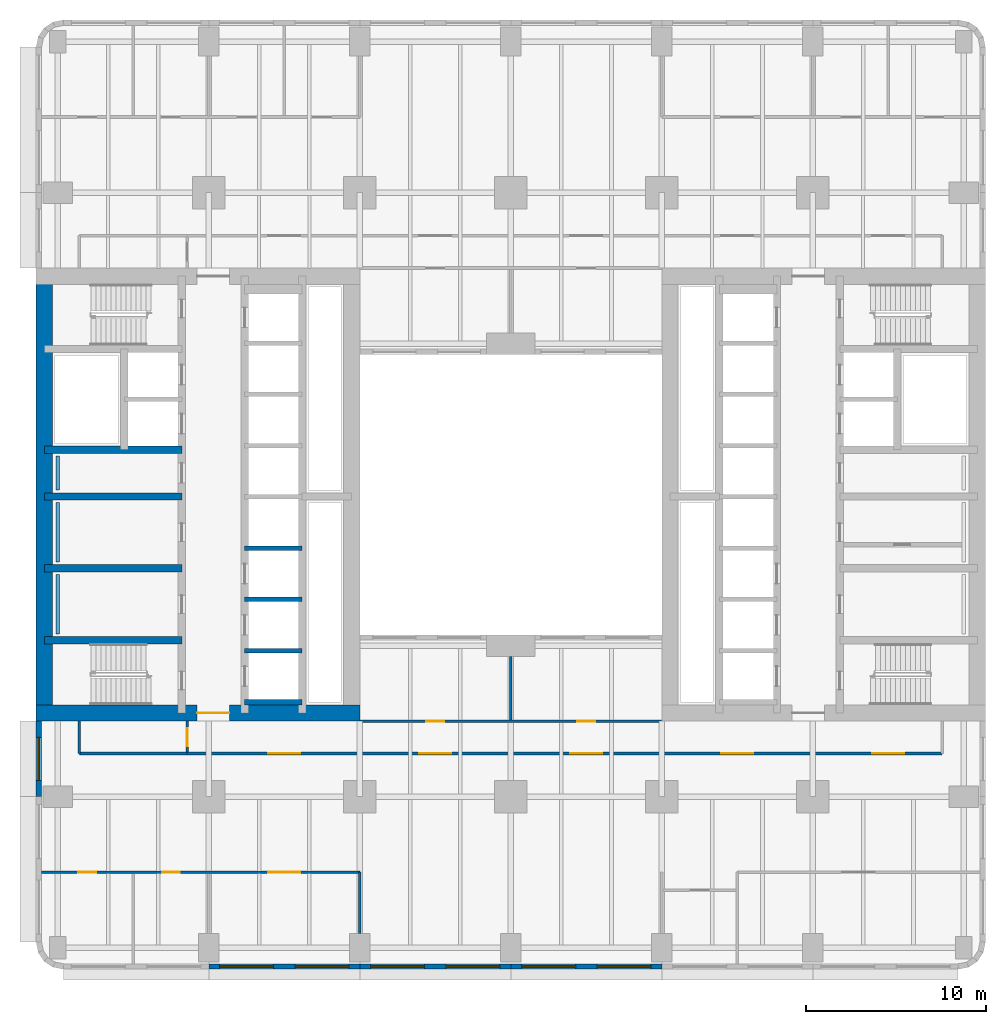
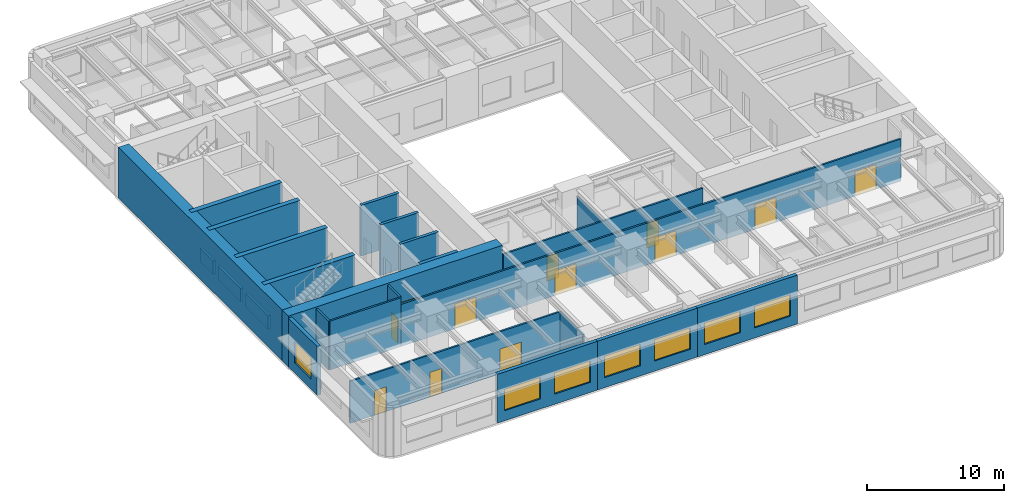
# One storey, part 3 of 14: 25 walls, 12 doors, 7 windows, 19 openings.
"""IFC4 building model written with IfcOpenShell, lengths in metres."""

from ifc_helpers import new_model, si_unit, direction, frame, frame_2d, origin, place, context, subcontext, project, spatial, rectangle, extrude, material, layer, layer_set, type_object, element, fill, save


model = new_model("IFC4")

# Units and contexts
model_context = context("Model", 3, precision=1e-05, world=origin(), true_north=direction((0.0, 1.0)))
body_context = subcontext(model_context, "Body", "Model", "MODEL_VIEW")
ifc_project = project(units=[si_unit("LENGTHUNIT", "METRE"), si_unit("AREAUNIT", "SQUARE_METRE"), si_unit("VOLUMEUNIT", "CUBIC_METRE"), si_unit("PLANEANGLEUNIT", "RADIAN"), si_unit("MASSUNIT", "GRAM", prefix="KILO")], contexts=[model_context])

# Site, building, storey
site_placement = place(None, origin())
site = spatial("IfcSite", under=ifc_project, at=site_placement, CompositionType="ELEMENT")
building_placement = place(site_placement, origin())
building = spatial("IfcBuilding", under=site, at=building_placement, Name="Claustro Exchange Tower", CompositionType="ELEMENT")
storey_placement = place(building_placement, frame((0.0, 0.0, 27.89990234375)))
storey = spatial("IfcBuildingStorey", under=building, at=storey_placement, Name="L06", CompositionType="ELEMENT", Elevation=27.89990234375)

# Wall, openings, doors
ifc_material_1 = material(Name="Gypsum board on steel studs", Category="steel")
ifc_layer_1 = layer(ifc_material_1, 0.14990234375)
ifc_layer_set_1 = layer_set([ifc_layer_1], Name="Gypsum board on steel studs")
wall_type_1 = type_object("IfcWallType", Name="P1 150 plasterboard partition", PredefinedType="PARTITIONING", material=ifc_layer_set_1)
wall_1_placement = place(storey_placement, frame((-0.902099609375, 4.199951171875, 0.0), z_axis=(0.0, 0.0, 1.0), x_axis=(1.0, 0.0, 0.0)))
wall_1 = element("IfcWall", 1, at=wall_1_placement, inside=storey, type_object=wall_type_1, Name="Partition P1 L06", PredefinedType="PARTITIONING", context=body_context, shape_type="SweptSolid", body=[
    extrude(rectangle(XDim=17.7021484375, YDim=0.14990234375, at=frame_2d((8.85107421875, 0.0))), origin(), (0.0, 0.0, 1.0), 3.739990234375),
])
opening_1_placement = place(wall_1_placement, frame((2.052001953125, 0.0, 0.0)))
opening_1 = element("IfcOpeningElement", 2, at=opening_1_placement, cuts=wall_1, Name="Opening D1", PredefinedType="OPENING", context=body_context, shape_type="SweptSolid", body=[
    extrude(rectangle(XDim=1.0, YDim=2.199951171875, at=frame_2d((0.5, 1.10009765625))), frame((0.0, 0.0849609375, 0.0), z_axis=(0.0, -1.0, 0.0), x_axis=(1.0, 0.0, 0.0)), (0.0, 0.0, 1.0), 0.169921875),
])
opening_2_placement = place(wall_1_placement, frame((6.701904296875, 0.0, 0.0)))
opening_2 = element("IfcOpeningElement", 3, at=opening_2_placement, cuts=wall_1, Name="Opening D1", PredefinedType="OPENING", context=body_context, shape_type="SweptSolid", body=[
    extrude(rectangle(XDim=1.0, YDim=2.199951171875, at=frame_2d((0.5, 1.10009765625))), frame((0.0, 0.0849609375, 0.0), z_axis=(0.0, -1.0, 0.0), x_axis=(1.0, 0.0, 0.0)), (0.0, 0.0, 1.0), 0.169921875),
])
opening_3_placement = place(wall_1_placement, frame((12.60205078125, 0.0, 0.0)))
opening_3 = element("IfcOpeningElement", 4, at=opening_3_placement, cuts=wall_1, Name="Opening D2", PredefinedType="OPENING", context=body_context, shape_type="SweptSolid", body=[
    extrude(rectangle(XDim=1.800048828125, YDim=2.199951171875, at=frame_2d((0.89990234375, 1.10009765625))), frame((0.0, 0.0849609375, 0.0), z_axis=(0.0, -1.0, 0.0), x_axis=(1.0, 0.0, 0.0)), (0.0, 0.0, 1.0), 0.169921875),
])
ifc_material_2 = material(Name="Timber door, oak veneer", Category="wood")
door_type_1 = type_object("IfcDoorType", Name="D1 1000 x 2200 single door", OperationType="SINGLE_SWING_LEFT", PredefinedType="DOOR", material=ifc_material_2)
door_1_placement = place(opening_1_placement, frame((1.0, 0.0, 0.0), z_axis=(0.0, 0.0, 1.0), x_axis=(-1.0, 0.0, 0.0)))
door_1 = element("IfcDoor", 5, at=door_1_placement, inside=storey, type_object=door_type_1, Name="Door D1 L06", OperationType="SINGLE_SWING_LEFT", OverallHeight=2.199951171875, OverallWidth=1.0, PredefinedType="DOOR", context=body_context, shape_type="SweptSolid", body=[
    extrude(rectangle(XDim=1.0, YDim=2.199951171875, at=frame_2d((0.5, 1.10009765625))), frame((0.0, 0.02490234375, 0.0), z_axis=(0.0, -1.0, 0.0), x_axis=(1.0, 0.0, 0.0)), (0.0, 0.0, 1.0), 0.050048828125),
])
fill(opening_1, door_1)
door_2_placement = place(opening_2_placement, frame((1.0, 0.0, 0.0), z_axis=(0.0, 0.0, 1.0), x_axis=(-1.0, 0.0, 0.0)))
door_2 = element("IfcDoor", 6, at=door_2_placement, inside=storey, type_object=door_type_1, Name="Door D1 L06", OperationType="SINGLE_SWING_RIGHT", OverallHeight=2.199951171875, OverallWidth=1.0, PredefinedType="DOOR", context=body_context, shape_type="SweptSolid", body=[
    extrude(rectangle(XDim=1.0, YDim=2.199951171875, at=frame_2d((0.5, 1.10009765625))), frame((0.0, 0.02490234375, 0.0), z_axis=(0.0, -1.0, 0.0), x_axis=(1.0, 0.0, 0.0)), (0.0, 0.0, 1.0), 0.050048828125),
])
fill(opening_2, door_2)
ifc_material_3 = material(Name="Timber door, oak veneer", Category="wood")
door_type_2 = type_object("IfcDoorType", Name="D2 1800 x 2200 double door", OperationType="DOUBLE_DOOR_SINGLE_SWING", PredefinedType="DOOR", material=ifc_material_3)
door_3_placement = place(opening_3_placement, frame((1.800048828125, 0.0, 0.0), z_axis=(0.0, 0.0, 1.0), x_axis=(-1.0, 0.0, 0.0)))
door_3 = element("IfcDoor", 7, at=door_3_placement, inside=storey, type_object=door_type_2, Name="Double door D2 L06", OperationType="DOUBLE_DOOR_SINGLE_SWING", OverallHeight=2.199951171875, OverallWidth=1.800048828125, PredefinedType="DOOR", context=body_context, shape_type="SweptSolid", body=[
    extrude(rectangle(XDim=1.800048828125, YDim=2.199951171875, at=frame_2d((0.89990234375, 1.10009765625))), frame((0.0, 0.02490234375, 0.0), z_axis=(0.0, -1.0, 0.0), x_axis=(1.0, 0.0, 0.0)), (0.0, 0.0, 1.0), 0.050048828125),
])
fill(opening_3, door_3)

# Wall
wall_2_placement = place(storey_placement, frame((16.800048828125, 0.799072265625, 0.0), z_axis=(0.0, 0.0, 1.0), x_axis=(0.0, 1.0, 0.0)))
element("IfcWall", 8, at=wall_2_placement, inside=storey, type_object=wall_type_1, Name="Partition P1 L06", PredefinedType="PARTITIONING", context=body_context, shape_type="SweptSolid", body=[
    extrude(rectangle(XDim=3.40087890625, YDim=0.14990234375, at=frame_2d((1.700439453125, 0.0))), origin(), (0.0, 0.0, 1.0), 3.739990234375),
])

# Wall, openings, doors
wall_3_placement = place(storey_placement, frame((7.197998046875, 10.800048828125, 0.0), z_axis=(0.0, 0.0, 1.0), x_axis=(1.0, 0.0, 0.0)))
wall_3 = element("IfcWall", 9, at=wall_3_placement, inside=storey, type_object=wall_type_1, Name="Partition P1 L06", PredefinedType="PARTITIONING", context=body_context, shape_type="SweptSolid", body=[
    extrude(rectangle(XDim=42.001953125, YDim=0.14990234375, at=frame_2d((21.0009765625, 0.0))), origin(), (0.0, 0.0, 1.0), 3.739990234375),
])
opening_4_placement = place(wall_3_placement, frame((4.501953125, 0.0, 0.0)))
opening_4 = element("IfcOpeningElement", 10, at=opening_4_placement, cuts=wall_3, Name="Opening D2", PredefinedType="OPENING", context=body_context, shape_type="SweptSolid", body=[
    extrude(rectangle(XDim=1.800048828125, YDim=2.199951171875, at=frame_2d((0.89990234375, 1.10009765625))), frame((0.0, 0.0849609375, 0.0), z_axis=(0.0, -1.0, 0.0), x_axis=(1.0, 0.0, 0.0)), (0.0, 0.0, 1.0), 0.169921875),
])
opening_5_placement = place(wall_3_placement, frame((12.902099609375, 0.0, 0.0)))
opening_5 = element("IfcOpeningElement", 11, at=opening_5_placement, cuts=wall_3, Name="Opening D2", PredefinedType="OPENING", context=body_context, shape_type="SweptSolid", body=[
    extrude(rectangle(XDim=1.800048828125, YDim=2.199951171875, at=frame_2d((0.89990234375, 1.10009765625))), frame((0.0, 0.0849609375, 0.0), z_axis=(0.0, -1.0, 0.0), x_axis=(1.0, 0.0, 0.0)), (0.0, 0.0, 1.0), 0.169921875),
])
opening_6_placement = place(wall_3_placement, frame((21.302001953125, 0.0, 0.0)))
opening_6 = element("IfcOpeningElement", 12, at=opening_6_placement, cuts=wall_3, Name="Opening D2", PredefinedType="OPENING", context=body_context, shape_type="SweptSolid", body=[
    extrude(rectangle(XDim=1.800048828125, YDim=2.199951171875, at=frame_2d((0.89990234375, 1.10009765625))), frame((0.0, 0.0849609375, 0.0), z_axis=(0.0, -1.0, 0.0), x_axis=(1.0, 0.0, 0.0)), (0.0, 0.0, 1.0), 0.169921875),
])
opening_7_placement = place(wall_3_placement, frame((29.701904296875, 0.0, 0.0)))
opening_7 = element("IfcOpeningElement", 13, at=opening_7_placement, cuts=wall_3, Name="Opening D2", PredefinedType="OPENING", context=body_context, shape_type="SweptSolid", body=[
    extrude(rectangle(XDim=1.800048828125, YDim=2.199951171875, at=frame_2d((0.89990234375, 1.10009765625))), frame((0.0, 0.0849609375, 0.0), z_axis=(0.0, -1.0, 0.0), x_axis=(1.0, 0.0, 0.0)), (0.0, 0.0, 1.0), 0.169921875),
])
opening_8_placement = place(wall_3_placement, frame((38.10205078125, 0.0, 0.0)))
opening_8 = element("IfcOpeningElement", 14, at=opening_8_placement, cuts=wall_3, Name="Opening D2", PredefinedType="OPENING", context=body_context, shape_type="SweptSolid", body=[
    extrude(rectangle(XDim=1.800048828125, YDim=2.199951171875, at=frame_2d((0.89990234375, 1.10009765625))), frame((0.0, 0.0849609375, 0.0), z_axis=(0.0, -1.0, 0.0), x_axis=(1.0, 0.0, 0.0)), (0.0, 0.0, 1.0), 0.169921875),
])
door_4_placement = place(opening_4_placement, frame((1.800048828125, 0.0, 0.0), z_axis=(0.0, 0.0, 1.0), x_axis=(-1.0, 0.0, 0.0)))
door_4 = element("IfcDoor", 15, at=door_4_placement, inside=storey, type_object=door_type_2, Name="Double door D2 L06", OperationType="DOUBLE_DOOR_SINGLE_SWING", OverallHeight=2.199951171875, OverallWidth=1.800048828125, PredefinedType="DOOR", context=body_context, shape_type="SweptSolid", body=[
    extrude(rectangle(XDim=1.800048828125, YDim=2.199951171875, at=frame_2d((0.89990234375, 1.10009765625))), frame((0.0, 0.02490234375, 0.0), z_axis=(0.0, -1.0, 0.0), x_axis=(1.0, 0.0, 0.0)), (0.0, 0.0, 1.0), 0.050048828125),
])
fill(opening_4, door_4)
door_5_placement = place(opening_5_placement, frame((1.800048828125, 0.0, 0.0), z_axis=(0.0, 0.0, 1.0), x_axis=(-1.0, 0.0, 0.0)))
door_5 = element("IfcDoor", 16, at=door_5_placement, inside=storey, type_object=door_type_2, Name="Double door D2 L06", OperationType="DOUBLE_DOOR_SINGLE_SWING", OverallHeight=2.199951171875, OverallWidth=1.800048828125, PredefinedType="DOOR", context=body_context, shape_type="SweptSolid", body=[
    extrude(rectangle(XDim=1.800048828125, YDim=2.199951171875, at=frame_2d((0.89990234375, 1.10009765625))), frame((0.0, 0.02490234375, 0.0), z_axis=(0.0, -1.0, 0.0), x_axis=(1.0, 0.0, 0.0)), (0.0, 0.0, 1.0), 0.050048828125),
])
fill(opening_5, door_5)
door_6_placement = place(opening_6_placement, frame((1.800048828125, 0.0, 0.0), z_axis=(0.0, 0.0, 1.0), x_axis=(-1.0, 0.0, 0.0)))
door_6 = element("IfcDoor", 17, at=door_6_placement, inside=storey, type_object=door_type_2, Name="Double door D2 L06", OperationType="DOUBLE_DOOR_SINGLE_SWING", OverallHeight=2.199951171875, OverallWidth=1.800048828125, PredefinedType="DOOR", context=body_context, shape_type="SweptSolid", body=[
    extrude(rectangle(XDim=1.800048828125, YDim=2.199951171875, at=frame_2d((0.89990234375, 1.10009765625))), frame((0.0, 0.02490234375, 0.0), z_axis=(0.0, -1.0, 0.0), x_axis=(1.0, 0.0, 0.0)), (0.0, 0.0, 1.0), 0.050048828125),
])
fill(opening_6, door_6)
door_7_placement = place(opening_7_placement, frame((1.800048828125, 0.0, 0.0), z_axis=(0.0, 0.0, 1.0), x_axis=(-1.0, 0.0, 0.0)))
door_7 = element("IfcDoor", 18, at=door_7_placement, inside=storey, type_object=door_type_2, Name="Double door D2 L06", OperationType="DOUBLE_DOOR_SINGLE_SWING", OverallHeight=2.199951171875, OverallWidth=1.800048828125, PredefinedType="DOOR", context=body_context, shape_type="SweptSolid", body=[
    extrude(rectangle(XDim=1.800048828125, YDim=2.199951171875, at=frame_2d((0.89990234375, 1.10009765625))), frame((0.0, 0.02490234375, 0.0), z_axis=(0.0, -1.0, 0.0), x_axis=(1.0, 0.0, 0.0)), (0.0, 0.0, 1.0), 0.050048828125),
])
fill(opening_7, door_7)
door_8_placement = place(opening_8_placement, frame((1.800048828125, 0.0, 0.0), z_axis=(0.0, 0.0, 1.0), x_axis=(-1.0, 0.0, 0.0)))
door_8 = element("IfcDoor", 19, at=door_8_placement, inside=storey, type_object=door_type_2, Name="Double door D2 L06", OperationType="DOUBLE_DOOR_SINGLE_SWING", OverallHeight=2.199951171875, OverallWidth=1.800048828125, PredefinedType="DOOR", context=body_context, shape_type="SweptSolid", body=[
    extrude(rectangle(XDim=1.800048828125, YDim=2.199951171875, at=frame_2d((0.89990234375, 1.10009765625))), frame((0.0, 0.02490234375, 0.0), z_axis=(0.0, -1.0, 0.0), x_axis=(1.0, 0.0, 0.0)), (0.0, 0.0, 1.0), 0.050048828125),
])
fill(opening_8, door_8)

# Wall, opening, door
wall_4_placement = place(storey_placement, frame((7.199951171875, 10.8740234375, 0.0), z_axis=(0.0, 0.0, 1.0), x_axis=(0.0, 1.0, 0.0)))
wall_4 = element("IfcWall", 20, at=wall_4_placement, inside=storey, type_object=wall_type_1, Name="Partition P1 L06", PredefinedType="PARTITIONING", context=body_context, shape_type="SweptSolid", body=[
    extrude(rectangle(XDim=1.72802734375, YDim=0.14990234375, at=frame_2d((0.864013671875, 0.0))), origin(), (0.0, 0.0, 1.0), 4.340087890625),
])
opening_9_placement = place(wall_4_placement, frame((0.325927734375, 0.0, 0.0)))
opening_9 = element("IfcOpeningElement", 21, at=opening_9_placement, cuts=wall_4, Name="Opening D1", PredefinedType="OPENING", context=body_context, shape_type="SweptSolid", body=[
    extrude(rectangle(XDim=1.0, YDim=2.199951171875, at=frame_2d((0.5, 1.10009765625))), frame((0.0, 0.0849609375, 0.0), z_axis=(0.0, -1.0, 0.0), x_axis=(1.0, 0.0, 0.0)), (0.0, 0.0, 1.0), 0.169921875),
])
door_9_placement = place(opening_9_placement, origin())
door_9 = element("IfcDoor", 22, at=door_9_placement, inside=storey, type_object=door_type_1, Name="Door D1 L06", OperationType="SINGLE_SWING_RIGHT", OverallHeight=2.199951171875, OverallWidth=1.0, PredefinedType="DOOR", context=body_context, shape_type="SweptSolid", body=[
    extrude(rectangle(XDim=1.0, YDim=2.199951171875, at=frame_2d((0.5, 1.10009765625))), frame((0.0, 0.02490234375, 0.0), z_axis=(0.0, -1.0, 0.0), x_axis=(1.0, 0.0, 0.0)), (0.0, 0.0, 1.0), 0.050048828125),
])
fill(opening_9, door_9)

# Walls
wall_5_placement = place(storey_placement, frame((1.199951171875, 10.800048828125, 0.0), z_axis=(0.0, 0.0, 1.0), x_axis=(1.0, 0.0, 0.0)))
element("IfcWall", 23, at=wall_5_placement, inside=storey, type_object=wall_type_1, Name="Partition P1 L06", PredefinedType="PARTITIONING", context=body_context, shape_type="SweptSolid", body=[
    extrude(rectangle(XDim=6.001953125, YDim=0.14990234375, at=frame_2d((3.0009765625, 0.0))), origin(), (0.0, 0.0, 1.0), 4.340087890625),
])
wall_6_placement = place(storey_placement, frame((1.199951171875, 10.800048828125, 0.0), z_axis=(0.0, 0.0, 1.0), x_axis=(0.0, 1.0, 0.0)))
element("IfcWall", 24, at=wall_6_placement, inside=storey, type_object=wall_type_1, Name="Partition P1 L06", PredefinedType="PARTITIONING", context=body_context, shape_type="SweptSolid", body=[
    extrude(rectangle(XDim=1.802001953125, YDim=0.14990234375, at=frame_2d((0.90087890625, 0.0))), origin(), (0.0, 0.0, 1.0), 4.340087890625),
])
wall_7_placement = place(storey_placement, frame((25.199951171875, 12.674072265625, 0.0), z_axis=(0.0, 0.0, 1.0), x_axis=(0.0, 1.0, 0.0)))
element("IfcWall", 25, at=wall_7_placement, inside=storey, type_object=wall_type_1, Name="Partition P1 L06", PredefinedType="PARTITIONING", context=body_context, shape_type="SweptSolid", body=[
    extrude(rectangle(XDim=3.52685546875, YDim=0.14990234375, at=frame_2d((1.763427734375, 0.0))), origin(), (0.0, 0.0, 1.0), 3.739990234375),
])

# Wall, openings, doors
wall_8_placement = place(storey_placement, frame((16.820068359375, 12.60009765625, 0.0), z_axis=(0.0, 0.0, 1.0), x_axis=(1.0, 0.0, 0.0)))
wall_8 = element("IfcWall", 26, at=wall_8_placement, inside=storey, type_object=wall_type_1, Name="Partition P1 L06", PredefinedType="PARTITIONING", context=body_context, shape_type="SweptSolid", body=[
    extrude(rectangle(XDim=16.760009765625, YDim=0.14990234375, at=frame_2d((8.3798828125, 0.0))), origin(), (0.0, 0.0, 1.0), 3.739990234375),
])
opening_10_placement = place(wall_8_placement, frame((3.679931640625, 0.0, 0.0)))
opening_10 = element("IfcOpeningElement", 27, at=opening_10_placement, cuts=wall_8, Name="Opening D1", PredefinedType="OPENING", context=body_context, shape_type="SweptSolid", body=[
    extrude(rectangle(XDim=1.0, YDim=2.199951171875, at=frame_2d((0.5, 1.10009765625))), frame((0.0, 0.0849609375, 0.0), z_axis=(0.0, -1.0, 0.0), x_axis=(1.0, 0.0, 0.0)), (0.0, 0.0, 1.0), 0.169921875),
])
opening_11_placement = place(wall_8_placement, frame((12.080078125, 0.0, 0.0)))
opening_11 = element("IfcOpeningElement", 28, at=opening_11_placement, cuts=wall_8, Name="Opening D1", PredefinedType="OPENING", context=body_context, shape_type="SweptSolid", body=[
    extrude(rectangle(XDim=1.0, YDim=2.199951171875, at=frame_2d((0.5, 1.10009765625))), frame((0.0, 0.0849609375, 0.0), z_axis=(0.0, -1.0, 0.0), x_axis=(1.0, 0.0, 0.0)), (0.0, 0.0, 1.0), 0.169921875),
])
door_10_placement = place(opening_10_placement, origin())
door_10 = element("IfcDoor", 29, at=door_10_placement, inside=storey, type_object=door_type_1, Name="Door D1 L06", OperationType="SINGLE_SWING_RIGHT", OverallHeight=2.199951171875, OverallWidth=1.0, PredefinedType="DOOR", context=body_context, shape_type="SweptSolid", body=[
    extrude(rectangle(XDim=1.0, YDim=2.199951171875, at=frame_2d((0.5, 1.10009765625))), frame((0.0, 0.02490234375, 0.0), z_axis=(0.0, -1.0, 0.0), x_axis=(1.0, 0.0, 0.0)), (0.0, 0.0, 1.0), 0.050048828125),
])
fill(opening_10, door_10)
door_11_placement = place(opening_11_placement, origin())
door_11 = element("IfcDoor", 30, at=door_11_placement, inside=storey, type_object=door_type_1, Name="Door D1 L06", OperationType="SINGLE_SWING_LEFT", OverallHeight=2.199951171875, OverallWidth=1.0, PredefinedType="DOOR", context=body_context, shape_type="SweptSolid", body=[
    extrude(rectangle(XDim=1.0, YDim=2.199951171875, at=frame_2d((0.5, 1.10009765625))), frame((0.0, 0.02490234375, 0.0), z_axis=(0.0, -1.0, 0.0), x_axis=(1.0, 0.0, 0.0)), (0.0, 0.0, 1.0), 0.050048828125),
])
fill(opening_11, door_11)

# Wall, openings, windows
ifc_material_4 = material(Name="Concrete HA-40 (C40/50), precast, white cement, acid-etched", Category="concrete")
ifc_layer_2 = layer(ifc_material_4, 0.300048828125)
ifc_layer_set_2 = layer_set([ifc_layer_2], Name="Concrete HA-40 (C40/50), precast, white cement, acid-etched")
wall_type_2 = type_object("IfcWallType", Name="PC1 300 precast concrete pier panel", PredefinedType="SOLIDWALL", material=ifc_layer_set_2)
wall_9_placement = place(storey_placement, frame((33.60009765625, -1.050048828125, 0.0), z_axis=(0.0, 0.0, 1.0), x_axis=(-1.0, 0.0, 0.0)))
wall_9 = element("IfcWall", 31, at=wall_9_placement, inside=storey, type_object=wall_type_2, Name="Precast pier panel PC1 L06", PredefinedType="SOLIDWALL", context=body_context, shape_type="SweptSolid", body=[
    extrude(rectangle(XDim=8.400146484375, YDim=0.300048828125, at=frame_2d((4.2001953125, 0.0))), origin(), (0.0, 0.0, 1.0), 4.340087890625),
])
opening_12_placement = place(wall_9_placement, frame((0.60009765625, 0.0, 0.89990234375)))
opening_12 = element("IfcOpeningElement", 32, at=opening_12_placement, cuts=wall_9, Name="Opening W1", PredefinedType="OPENING", context=body_context, shape_type="SweptSolid", body=[
    extrude(rectangle(XDim=3.0, YDim=1.89990234375, at=frame_2d((1.5, 0.949951171875))), frame((0.0, 0.159912109375, 0.0), z_axis=(0.0, -1.0, 0.0), x_axis=(1.0, 0.0, 0.0)), (0.0, 0.0, 1.0), 0.320068359375),
])
opening_13_placement = place(wall_9_placement, frame((4.800048828125, 0.0, 0.89990234375)))
opening_13 = element("IfcOpeningElement", 33, at=opening_13_placement, cuts=wall_9, Name="Opening W1", PredefinedType="OPENING", context=body_context, shape_type="SweptSolid", body=[
    extrude(rectangle(XDim=3.0, YDim=1.89990234375, at=frame_2d((1.5, 0.949951171875))), frame((0.0, 0.159912109375, 0.0), z_axis=(0.0, -1.0, 0.0), x_axis=(1.0, 0.0, 0.0)), (0.0, 0.0, 1.0), 0.320068359375),
])
ifc_material_5 = material(Name="Aluminium frame, clear double glazing", Category="aluminium")
window_type_1 = type_object("IfcWindowType", Name="W1 3000 x 1900 window", PartitioningType="SINGLE_PANEL", PredefinedType="WINDOW", material=ifc_material_5)
window_1_placement = place(opening_12_placement, origin())
window_1 = element("IfcWindow", 34, at=window_1_placement, inside=storey, type_object=window_type_1, Name="Window W1 L06", OverallHeight=1.89990234375, OverallWidth=3.0, PartitioningType="SINGLE_PANEL", PredefinedType="WINDOW", context=body_context, shape_type="SweptSolid", body=[
    extrude(rectangle(XDim=3.0, YDim=1.89990234375, at=frame_2d((1.5, 0.949951171875))), frame((0.0, 0.030029296875, 0.0), z_axis=(0.0, -1.0, 0.0), x_axis=(1.0, 0.0, 0.0)), (0.0, 0.0, 1.0), 0.06005859375),
])
fill(opening_12, window_1)
window_2_placement = place(opening_13_placement, origin())
window_2 = element("IfcWindow", 35, at=window_2_placement, inside=storey, type_object=window_type_1, Name="Window W1 L06", OverallHeight=1.89990234375, OverallWidth=3.0, PartitioningType="SINGLE_PANEL", PredefinedType="WINDOW", context=body_context, shape_type="SweptSolid", body=[
    extrude(rectangle(XDim=3.0, YDim=1.89990234375, at=frame_2d((1.5, 0.949951171875))), frame((0.0, 0.030029296875, 0.0), z_axis=(0.0, -1.0, 0.0), x_axis=(1.0, 0.0, 0.0)), (0.0, 0.0, 1.0), 0.06005859375),
])
fill(opening_13, window_2)

wall_10_placement = place(storey_placement, frame((25.199951171875, -1.050048828125, 0.0), z_axis=(0.0, 0.0, 1.0), x_axis=(-1.0, 0.0, 0.0)))
wall_10 = element("IfcWall", 36, at=wall_10_placement, inside=storey, type_object=wall_type_2, Name="Precast pier panel PC1 L06", PredefinedType="SOLIDWALL", context=body_context, shape_type="SweptSolid", body=[
    extrude(rectangle(XDim=8.39990234375, YDim=0.300048828125, at=frame_2d((4.199951171875, 0.0))), origin(), (0.0, 0.0, 1.0), 4.340087890625),
])
opening_14_placement = place(wall_10_placement, frame((0.60009765625, 0.0, 0.89990234375)))
opening_14 = element("IfcOpeningElement", 37, at=opening_14_placement, cuts=wall_10, Name="Opening W1", PredefinedType="OPENING", context=body_context, shape_type="SweptSolid", body=[
    extrude(rectangle(XDim=3.0, YDim=1.89990234375, at=frame_2d((1.5, 0.949951171875))), frame((0.0, 0.159912109375, 0.0), z_axis=(0.0, -1.0, 0.0), x_axis=(1.0, 0.0, 0.0)), (0.0, 0.0, 1.0), 0.320068359375),
])
opening_15_placement = place(wall_10_placement, frame((4.800048828125, 0.0, 0.89990234375)))
opening_15 = element("IfcOpeningElement", 38, at=opening_15_placement, cuts=wall_10, Name="Opening W1", PredefinedType="OPENING", context=body_context, shape_type="SweptSolid", body=[
    extrude(rectangle(XDim=3.0, YDim=1.89990234375, at=frame_2d((1.5, 0.949951171875))), frame((0.0, 0.159912109375, 0.0), z_axis=(0.0, -1.0, 0.0), x_axis=(1.0, 0.0, 0.0)), (0.0, 0.0, 1.0), 0.320068359375),
])
window_3_placement = place(opening_14_placement, origin())
window_3 = element("IfcWindow", 39, at=window_3_placement, inside=storey, type_object=window_type_1, Name="Window W1 L06", OverallHeight=1.89990234375, OverallWidth=3.0, PartitioningType="SINGLE_PANEL", PredefinedType="WINDOW", context=body_context, shape_type="SweptSolid", body=[
    extrude(rectangle(XDim=3.0, YDim=1.89990234375, at=frame_2d((1.5, 0.949951171875))), frame((0.0, 0.030029296875, 0.0), z_axis=(0.0, -1.0, 0.0), x_axis=(1.0, 0.0, 0.0)), (0.0, 0.0, 1.0), 0.06005859375),
])
fill(opening_14, window_3)
window_4_placement = place(opening_15_placement, origin())
window_4 = element("IfcWindow", 40, at=window_4_placement, inside=storey, type_object=window_type_1, Name="Window W1 L06", OverallHeight=1.89990234375, OverallWidth=3.0, PartitioningType="SINGLE_PANEL", PredefinedType="WINDOW", context=body_context, shape_type="SweptSolid", body=[
    extrude(rectangle(XDim=3.0, YDim=1.89990234375, at=frame_2d((1.5, 0.949951171875))), frame((0.0, 0.030029296875, 0.0), z_axis=(0.0, -1.0, 0.0), x_axis=(1.0, 0.0, 0.0)), (0.0, 0.0, 1.0), 0.06005859375),
])
fill(opening_15, window_4)

wall_11_placement = place(storey_placement, frame((16.800048828125, -1.050048828125, 0.0), z_axis=(0.0, 0.0, 1.0), x_axis=(-1.0, 0.0, 0.0)))
wall_11 = element("IfcWall", 41, at=wall_11_placement, inside=storey, type_object=wall_type_2, Name="Precast pier panel PC1 L06", PredefinedType="SOLIDWALL", context=body_context, shape_type="SweptSolid", body=[
    extrude(rectangle(XDim=8.400146484375, YDim=0.300048828125, at=frame_2d((4.2001953125, 0.0))), origin(), (0.0, 0.0, 1.0), 4.340087890625),
])
opening_16_placement = place(wall_11_placement, frame((0.60009765625, 0.0, 0.89990234375)))
opening_16 = element("IfcOpeningElement", 42, at=opening_16_placement, cuts=wall_11, Name="Opening W1", PredefinedType="OPENING", context=body_context, shape_type="SweptSolid", body=[
    extrude(rectangle(XDim=3.0, YDim=1.89990234375, at=frame_2d((1.5, 0.949951171875))), frame((0.0, 0.159912109375, 0.0), z_axis=(0.0, -1.0, 0.0), x_axis=(1.0, 0.0, 0.0)), (0.0, 0.0, 1.0), 0.320068359375),
])
opening_17_placement = place(wall_11_placement, frame((4.800048828125, 0.0, 0.89990234375)))
opening_17 = element("IfcOpeningElement", 43, at=opening_17_placement, cuts=wall_11, Name="Opening W1", PredefinedType="OPENING", context=body_context, shape_type="SweptSolid", body=[
    extrude(rectangle(XDim=3.0, YDim=1.89990234375, at=frame_2d((1.5, 0.949951171875))), frame((0.0, 0.159912109375, 0.0), z_axis=(0.0, -1.0, 0.0), x_axis=(1.0, 0.0, 0.0)), (0.0, 0.0, 1.0), 0.320068359375),
])
window_5_placement = place(opening_16_placement, origin())
window_5 = element("IfcWindow", 44, at=window_5_placement, inside=storey, type_object=window_type_1, Name="Window W1 L06", OverallHeight=1.89990234375, OverallWidth=3.0, PartitioningType="SINGLE_PANEL", PredefinedType="WINDOW", context=body_context, shape_type="SweptSolid", body=[
    extrude(rectangle(XDim=3.0, YDim=1.89990234375, at=frame_2d((1.5, 0.949951171875))), frame((0.0, 0.030029296875, 0.0), z_axis=(0.0, -1.0, 0.0), x_axis=(1.0, 0.0, 0.0)), (0.0, 0.0, 1.0), 0.06005859375),
])
fill(opening_16, window_5)
window_6_placement = place(opening_17_placement, origin())
window_6 = element("IfcWindow", 45, at=window_6_placement, inside=storey, type_object=window_type_1, Name="Window W1 L06", OverallHeight=1.89990234375, OverallWidth=3.0, PartitioningType="SINGLE_PANEL", PredefinedType="WINDOW", context=body_context, shape_type="SweptSolid", body=[
    extrude(rectangle(XDim=3.0, YDim=1.89990234375, at=frame_2d((1.5, 0.949951171875))), frame((0.0, 0.030029296875, 0.0), z_axis=(0.0, -1.0, 0.0), x_axis=(1.0, 0.0, 0.0)), (0.0, 0.0, 1.0), 0.06005859375),
])
fill(opening_17, window_6)

# Wall, opening, window
wall_12_placement = place(storey_placement, frame((-1.050048828125, 8.39990234375, 0.0), z_axis=(0.0, 0.0, 1.0), x_axis=(0.0, 1.0, 0.0)))
wall_12 = element("IfcWall", 46, at=wall_12_placement, inside=storey, type_object=wall_type_2, Name="Precast pier panel PC1 L06", PredefinedType="SOLIDWALL", context=body_context, shape_type="SweptSolid", body=[
    extrude(rectangle(XDim=4.2001953125, YDim=0.300048828125, at=frame_2d((2.10009765625, 0.0))), origin(), (0.0, 0.0, 1.0), 4.340087890625),
])
opening_18_placement = place(wall_12_placement, frame((0.89990234375, 0.0, 0.89990234375)))
opening_18 = element("IfcOpeningElement", 47, at=opening_18_placement, cuts=wall_12, Name="Opening W2", PredefinedType="OPENING", context=body_context, shape_type="SweptSolid", body=[
    extrude(rectangle(XDim=2.39990234375, YDim=1.89990234375, at=frame_2d((1.199951171875, 0.949951171875))), frame((0.0, 0.159912109375, 0.0), z_axis=(0.0, -1.0, 0.0), x_axis=(1.0, 0.0, 0.0)), (0.0, 0.0, 1.0), 0.320068359375),
])
ifc_material_6 = material(Name="Aluminium frame, clear double glazing", Category="aluminium")
window_type_2 = type_object("IfcWindowType", Name="W2 2400 x 1900 window", PartitioningType="SINGLE_PANEL", PredefinedType="WINDOW", material=ifc_material_6)
window_7_placement = place(opening_18_placement, origin())
window_7 = element("IfcWindow", 48, at=window_7_placement, inside=storey, type_object=window_type_2, Name="Window W2 L06", OverallHeight=1.89990234375, OverallWidth=2.39990234375, PartitioningType="SINGLE_PANEL", PredefinedType="WINDOW", context=body_context, shape_type="SweptSolid", body=[
    extrude(rectangle(XDim=2.39990234375, YDim=1.89990234375, at=frame_2d((1.199951171875, 0.949951171875))), frame((0.0, 0.030029296875, 0.0), z_axis=(0.0, -1.0, 0.0), x_axis=(1.0, 0.0, 0.0)), (0.0, 0.0, 1.0), 0.06005859375),
])
fill(opening_18, window_7)

# Walls
ifc_material_7 = material(Name="Gypsum board on steel studs, tiled", Category="steel")
ifc_layer_3 = layer(ifc_material_7, 0.199951171875)
ifc_layer_set_3 = layer_set([ifc_layer_3], Name="Gypsum board on steel studs, tiled")
wall_type_3 = type_object("IfcWallType", Name="PW1 200 WC duct wall", PredefinedType="PLUMBINGWALL", material=ifc_layer_set_3)
for number, where, z_axis, x_axis, name in (
    (49, (0.0, 17.449951171875, 0.0), (0.0, 0.0, 1.0), (0.0, 1.0, 0.0), "WC duct wall PW1 L06"),
    (50, (0.0, 21.449951171875, 0.0), (0.0, 0.0, 1.0), (0.0, 1.0, 0.0), "WC duct wall PW1 L06"),
):
    element("IfcWall", number, at=place(storey_placement, frame(where, z_axis=z_axis, x_axis=x_axis)), inside=storey, type_object=wall_type_3, Name=name, PredefinedType="PLUMBINGWALL", context=body_context, shape_type="SweptSolid", body=[
        extrude(rectangle(XDim=3.300048828125, YDim=0.199951171875, at=frame_2d((1.64990234375, 0.0))), origin(), (0.0, 0.0, 1.0), 1.2001953125),
    ])
wall_13_placement = place(storey_placement, frame((0.0, 25.449951171875, 0.0), z_axis=(0.0, 0.0, 1.0), x_axis=(0.0, 1.0, 0.0)))
element("IfcWall", 51, at=wall_13_placement, inside=storey, type_object=wall_type_3, Name="WC duct wall PW1 L06", PredefinedType="PLUMBINGWALL", context=body_context, shape_type="SweptSolid", body=[
    extrude(rectangle(XDim=1.900146484375, YDim=0.199951171875, at=frame_2d((0.9501953125, 0.0))), origin(), (0.0, 0.0, 1.0), 1.2001953125),
])

# Wall, opening, door
ifc_material_8 = material(Name="Concrete HA-70 (C70/85)", Category="concrete")
ifc_layer_4 = layer(ifc_material_8, 0.89990234375)
ifc_layer_set_4 = layer_set([ifc_layer_4], Name="Concrete HA-70 (C70/85)")
wall_type_4 = type_object("IfcWallType", Name="SW1 900 core shear wall", PredefinedType="SHEAR", material=ifc_layer_set_4)
wall_14_placement = place(storey_placement, frame((-1.199951171875, 13.050048828125, 0.0), z_axis=(0.0, 0.0, 1.0), x_axis=(1.0, 0.0, 0.0)))
wall_14 = element("IfcWall", 52, at=wall_14_placement, inside=storey, type_object=wall_type_4, Name="Core wall SW1 W core S face L06", PredefinedType="SHEAR", context=body_context, shape_type="SweptSolid", body=[
    extrude(rectangle(XDim=18.0, YDim=0.89990234375, at=frame_2d((9.0, 0.0))), origin(), (0.0, 0.0, 1.0), 4.5),
])
opening_19_placement = place(wall_14_placement, frame((8.949951171875, 0.0, 0.0)))
opening_19 = element("IfcOpeningElement", 53, at=opening_19_placement, cuts=wall_14, Name="Opening D3", PredefinedType="OPENING", context=body_context, shape_type="SweptSolid", body=[
    extrude(rectangle(XDim=1.800048828125, YDim=2.39990234375, at=frame_2d((0.89990234375, 1.199951171875))), frame((0.0, 0.4599609375, 0.0), z_axis=(0.0, -1.0, 0.0), x_axis=(1.0, 0.0, 0.0)), (0.0, 0.0, 1.0), 0.919921875),
])
ifc_material_9 = material(Name="Steel fire door, painted", Category="steel")
door_type_3 = type_object("IfcDoorType", Name="D3 1800 x 2400 fire-rated lobby double door", OperationType="DOUBLE_DOOR_SINGLE_SWING", PredefinedType="DOOR", material=ifc_material_9)
door_12_placement = place(opening_19_placement, origin())
door_12 = element("IfcDoor", 54, at=door_12_placement, inside=storey, type_object=door_type_3, Name="Lift lobby door D3 L06", OperationType="DOUBLE_DOOR_SINGLE_SWING", OverallHeight=2.39990234375, OverallWidth=1.800048828125, PredefinedType="DOOR", context=body_context, shape_type="SweptSolid", body=[
    extrude(rectangle(XDim=1.800048828125, YDim=2.39990234375, at=frame_2d((0.89990234375, 1.199951171875))), frame((0.0, 0.02490234375, 0.0), z_axis=(0.0, -1.0, 0.0), x_axis=(1.0, 0.0, 0.0)), (0.0, 0.0, 1.0), 0.050048828125),
])
fill(opening_19, door_12)

# Walls
ifc_material_10 = material(Name="Concrete HA-70 (C70/85)", Category="concrete")
ifc_layer_5 = layer(ifc_material_10, 0.89990234375)
ifc_layer_set_5 = layer_set([ifc_layer_5], Name="Concrete HA-70 (C70/85)")
wall_type_5 = type_object("IfcWallType", Name="SW1X 900 exposed core shear wall, board-marked face", PredefinedType="SHEAR", material=ifc_layer_set_5)
wall_15_placement = place(storey_placement, frame((-0.75, 13.050048828125, 0.0), z_axis=(0.0, 0.0, 1.0), x_axis=(0.0, 1.0, 0.0)))
element("IfcWall", 55, at=wall_15_placement, inside=storey, type_object=wall_type_5, Name="Core wall SW1X W core W face L06", PredefinedType="SHEAR", context=body_context, shape_type="SweptSolid", body=[
    extrude(rectangle(XDim=24.300048828125, YDim=0.89990234375, at=frame_2d((12.14990234375, 0.0))), origin(), (0.0, 0.0, 1.0), 4.5),
])
ifc_material_11 = material(Name="Concrete HA-50 (C50/60)", Category="concrete")
ifc_layer_6 = layer(ifc_material_11, 0.39990234375)
ifc_layer_set_6 = layer_set([ifc_layer_6], Name="Concrete HA-50 (C50/60)")
wall_type_6 = type_object("IfcWallType", Name="SW4 400 internal core wall", PredefinedType="SHEAR", material=ifc_layer_set_6)
for number, where, z_axis, x_axis, name in (
    (56, (-0.75, 17.10009765625, 0.0), (0.0, 0.0, 1.0), (1.0, 0.0, 0.0), "Internal core wall SW4 W core L06"),
    (57, (-0.75, 21.10009765625, 0.0), (0.0, 0.0, 1.0), (1.0, 0.0, 0.0), "Internal core wall SW4 W core L06"),
    (58, (-0.75, 25.10009765625, 0.0), (0.0, 0.0, 1.0), (1.0, 0.0, 0.0), "Internal core wall SW4 W core L06"),
    (59, (-0.75, 27.699951171875, 0.0), (0.0, 0.0, 1.0), (1.0, 0.0, 0.0), "Internal core wall SW4 W core L06"),
):
    element("IfcWall", number, at=place(storey_placement, frame(where, z_axis=z_axis, x_axis=x_axis)), inside=storey, type_object=wall_type_6, Name=name, PredefinedType="SHEAR", context=body_context, shape_type="SweptSolid", body=[
        extrude(rectangle(XDim=7.64990234375, YDim=0.39990234375, at=frame_2d((3.824951171875, 0.0))), origin(), (0.0, 0.0, 1.0), 4.5),
    ])
ifc_material_12 = material(Name="Concrete HA-50 (C50/60)", Category="concrete")
ifc_layer_7 = layer(ifc_material_12, 0.25)
ifc_layer_set_7 = layer_set([ifc_layer_7], Name="Concrete HA-50 (C50/60)")
wall_type_7 = type_object("IfcWallType", Name="SW5 250 lift shaft divider wall", PredefinedType="SHEAR", material=ifc_layer_set_7)
for number, where, z_axis, x_axis, name in (
    (60, (10.39990234375, 16.52490234375, 0.0), (0.0, 0.0, 1.0), (1.0, 0.0, 0.0), "Lift shaft wall W core L06"),
    (61, (10.39990234375, 19.375, 0.0), (0.0, 0.0, 1.0), (1.0, 0.0, 0.0), "Lift shaft wall W core L06"),
    (62, (10.39990234375, 22.22509765625, 0.0), (0.0, 0.0, 1.0), (1.0, 0.0, 0.0), "Lift shaft wall W core L06"),
):
    element("IfcWall", number, at=place(storey_placement, frame(where, z_axis=z_axis, x_axis=x_axis)), inside=storey, type_object=wall_type_7, Name=name, PredefinedType="SHEAR", context=body_context, shape_type="SweptSolid", body=[
        extrude(rectangle(XDim=3.2001953125, YDim=0.25, at=frame_2d((1.60009765625, 0.0))), origin(), (0.0, 0.0, 1.0), 4.5),
    ])
ifc_material_13 = material(Name="Concrete HA-50 (C50/60)", Category="concrete")
ifc_layer_8 = layer(ifc_material_13, 0.300048828125)
ifc_layer_set_8 = layer_set([ifc_layer_8], Name="Concrete HA-50 (C50/60)")
wall_type_8 = type_object("IfcWallType", Name="SW6A 300 lift shaft end wall", PredefinedType="SHEAR", material=ifc_layer_set_8)
wall_16_placement = place(storey_placement, frame((10.39990234375, 13.64990234375, 0.0), z_axis=(0.0, 0.0, 1.0), x_axis=(1.0, 0.0, 0.0)))
element("IfcWall", 63, at=wall_16_placement, inside=storey, type_object=wall_type_8, Name="Lift shaft wall W core L06", PredefinedType="SHEAR", context=body_context, shape_type="SweptSolid", body=[
    extrude(rectangle(XDim=3.2001953125, YDim=0.300048828125, at=frame_2d((1.60009765625, 0.0))), origin(), (0.0, 0.0, 1.0), 4.5),
])

save(model, "model.ifc")
